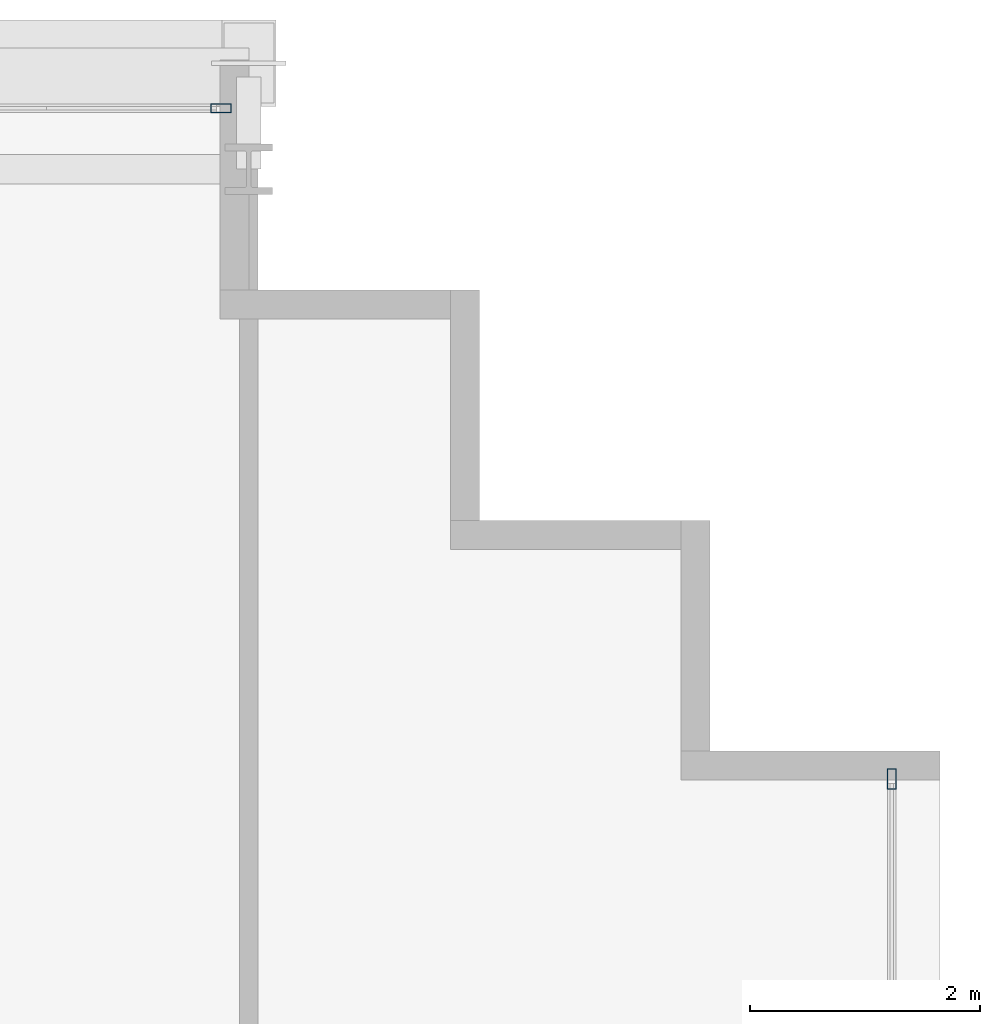
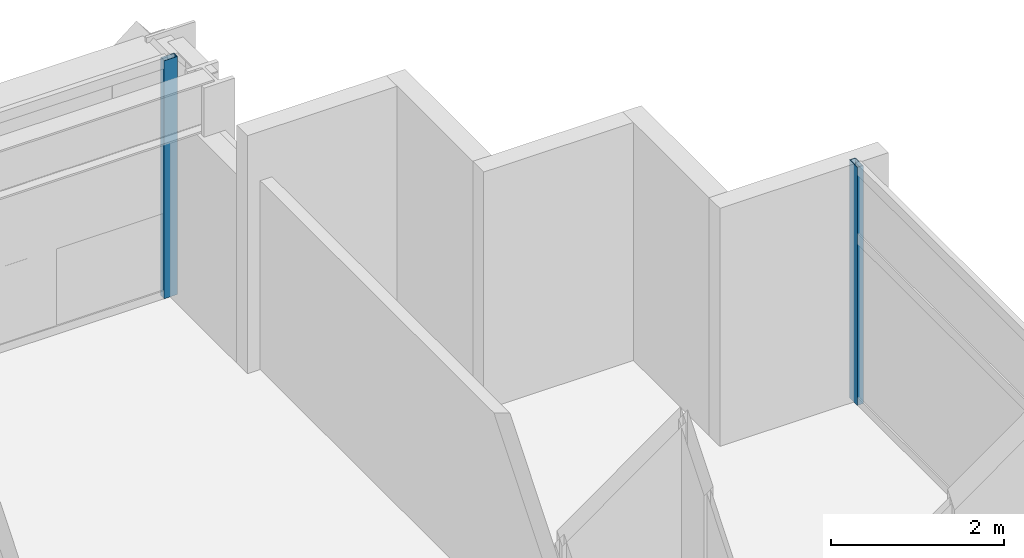
# One storey, part 22 of 35: 2 members, 2 elements without a shape of their own.
"""IFC4 building model written with IfcOpenShell, lengths in metres."""

import ifcopenshell
import ifcopenshell.guid

model = None  # the IFC model being written
_history = None  # IfcOwnerHistory: only IFC2X3 demands one
_inside = {}  # id of a spatial element -> (the spatial element, [elements in it])
_under = {}  # id of a project, library or spatial element -> (it, [spatial elements below it])
_declared = {}  # id of a project -> (the project, [libraries it declares])
_typed = {}  # id of a type object -> (the type object, [elements of that type])
_made_of = {}  # id of a material, layer set ... -> (it, [elements and type objects made of it])


def new_model(schema):
    """Start an empty IFC model of exactly this schema.

    Asked for "IFC4X3", IfcOpenShell would pick the latest addendum, in which some entities
    have other attributes; the version numbers below select the first issue.
    IFC2X3 requires an IfcOwnerHistory on every rooted entity: one is made here for all.
    """
    global model, _history
    if schema == "IFC4X3":
        model = ifcopenshell.file(schema_version=(4, 3, 0, 0))
    else:
        model = ifcopenshell.file(schema=schema)
    _inside.clear()
    _under.clear()
    _declared.clear()
    _typed.clear()
    _made_of.clear()
    _history = None
    if model.schema == "IFC2X3":
        org = make("IfcOrganization", Name="unknown")
        user = make(
            "IfcPersonAndOrganization",
            ThePerson=make("IfcPerson", FamilyName="unknown"),
            TheOrganization=org,
        )
        app = make(
            "IfcApplication",
            ApplicationDeveloper=org,
            Version="unknown",
            ApplicationFullName="unknown",
            ApplicationIdentifier="unknown",
        )
        _history = make(
            "IfcOwnerHistory",
            OwningUser=user,
            OwningApplication=app,
            ChangeAction="ADDED",
            CreationDate=0,
        )
    return model


def make(cls, **values):
    """One entity of the class cls with the attributes given. An attribute that is None is left unset."""
    return model.create_entity(
        cls, **{name: value for name, value in values.items() if value is not None}
    )


def rooted(cls, **values):
    """An entity with a GlobalId (a new one), such as an element, a storey or a relation."""
    return make(cls, GlobalId=ifcopenshell.guid.new(), OwnerHistory=_history, **values)


def si_unit(unit_type, name, prefix=None):
    """IfcSIUnit, for example si_unit("LENGTHUNIT", "METRE", prefix="MILLI")."""
    return make("IfcSIUnit", UnitType=unit_type, Prefix=prefix, Name=name)


def assignment(units):
    """IfcUnitAssignment: the units of a project."""
    return None if units is None else make("IfcUnitAssignment", Units=units)


def point(xyz):
    """IfcCartesianPoint."""
    return None if xyz is None else make("IfcCartesianPoint", Coordinates=xyz)


def direction(xyz):
    """IfcDirection."""
    return None if xyz is None else make("IfcDirection", DirectionRatios=xyz)


def frame(location, z_axis=None, x_axis=None):
    """IfcAxis2Placement3D, a coordinate frame: its origin and axes. An axis left out is left unset."""
    return make(
        "IfcAxis2Placement3D",
        Location=point(location),
        Axis=direction(z_axis),
        RefDirection=direction(x_axis),
    )


def frame_2d(location, x_axis=None):
    """IfcAxis2Placement2D, a coordinate frame in the plane: its origin and x axis."""
    return make(
        "IfcAxis2Placement2D", Location=point(location), RefDirection=direction(x_axis)
    )


def origin():
    """The frame at (0, 0, 0) with its axes left unset."""
    return frame((0.0, 0.0, 0.0))


def origin_2d():
    """The frame at (0, 0) in the plane with its x axis left unset."""
    return frame_2d((0.0, 0.0))


def place(relative_to, where):
    """IfcLocalPlacement: puts the frame where relative to a parent placement (None: the world)."""
    return make(
        "IfcLocalPlacement", PlacementRelTo=relative_to, RelativePlacement=where
    )


def context(
    kind, dimensions, precision=None, world=None, true_north=None, identifier=None
):
    """IfcGeometricRepresentationContext, for example the 3D "Model" context."""
    return make(
        "IfcGeometricRepresentationContext",
        ContextIdentifier=identifier,
        ContextType=kind,
        CoordinateSpaceDimension=dimensions,
        Precision=precision,
        WorldCoordinateSystem=world,
        TrueNorth=true_north,
    )


def subcontext(parent, identifier, kind, view, scale=None):
    """IfcGeometricRepresentationSubContext, for example "Body" below "Model"."""
    return make(
        "IfcGeometricRepresentationSubContext",
        ContextIdentifier=identifier,
        ContextType=kind,
        ParentContext=parent,
        TargetScale=scale,
        TargetView=view,
    )


def project(units=None, contexts=None):
    """IfcProject with its units and contexts."""
    return rooted(
        "IfcProject",
        Name="project",
        RepresentationContexts=contexts,
        UnitsInContext=assignment(units),
    )


def spatial(cls, under=None, at=None, **own):
    """A site, building, storey or space (cls), placed at a placement, below another one or the project."""
    s = rooted(cls, ObjectPlacement=at, **own)
    if under is not None:
        _under.setdefault(under.id(), (under, []))[1].append(s)
    return s


def profile(cls, at=None, kind="AREA", **sizes):
    """A parametric profile (cls). Its sizes go by their IFC names, for example OverallWidth=200.0."""
    return make(cls, ProfileType=kind, Position=at, **sizes)


def hollow_rectangle(**sizes):
    """IfcRectangleHollowProfileDef."""
    return profile("IfcRectangleHollowProfileDef", **sizes)


def extrude(swept, where, along, depth):
    """IfcExtrudedAreaSolid: the profile swept, set in the frame where, extruded along a direction by depth."""
    return make(
        "IfcExtrudedAreaSolid",
        SweptArea=swept,
        Position=where,
        ExtrudedDirection=direction(along),
        Depth=depth,
    )


def shape(context_of_items, identifier, shape_type, items):
    """IfcShapeRepresentation: the items that make up one representation, for example the "Body"."""
    return make(
        "IfcShapeRepresentation",
        ContextOfItems=context_of_items,
        RepresentationIdentifier=identifier,
        RepresentationType=shape_type,
        Items=items,
    )


def source(mapping_origin, context_of_items, identifier, shape_type, items):
    """IfcRepresentationMap: a shape defined once, which mapped items show again and again."""
    return make(
        "IfcRepresentationMap",
        MappingOrigin=mapping_origin,
        MappedRepresentation=shape(context_of_items, identifier, shape_type, items),
    )


def transform(
    local_origin,
    x_axis=None,
    y_axis=None,
    z_axis=None,
    scale=None,
    scale2=None,
    scale3=None,
    uniform=True,
):
    """IfcCartesianTransformationOperator3D, or its non-uniform kind. x_axis, y_axis, z_axis: its Axis1, 2, 3."""
    if uniform:
        return make(
            "IfcCartesianTransformationOperator3D",
            Axis1=direction(x_axis),
            Axis2=direction(y_axis),
            LocalOrigin=point(local_origin),
            Scale=scale,
            Axis3=direction(z_axis),
        )
    return make(
        "IfcCartesianTransformationOperator3DnonUniform",
        Axis1=direction(x_axis),
        Axis2=direction(y_axis),
        LocalOrigin=point(local_origin),
        Scale=scale,
        Axis3=direction(z_axis),
        Scale2=scale2,
        Scale3=scale3,
    )


def mapped(mapping_source, mapping_target):
    """IfcMappedItem: shows the shape of a source again, moved by a transform."""
    return make(
        "IfcMappedItem", MappingSource=mapping_source, MappingTarget=mapping_target
    )


def material(Name=None, Category=None):
    """IfcMaterial."""
    return make("IfcMaterial", Name=Name, Category=Category)


def layer(
    of_material, thickness, ventilated=None, Name=None, Category=None, Priority=None
):
    """IfcMaterialLayer: one layer of a wall or slab, of a material (None: an air gap)."""
    return make(
        "IfcMaterialLayer",
        Material=of_material,
        LayerThickness=thickness,
        IsVentilated=ventilated,
        Name=Name,
        Category=Category,
        Priority=Priority,
    )


def layer_set(layers, Name=None):
    """IfcMaterialLayerSet."""
    return make("IfcMaterialLayerSet", MaterialLayers=layers, LayerSetName=Name)


def material_profile(
    of_material, cross_section, Name=None, Category=None, Priority=None
):
    """IfcMaterialProfile: a cross section and its material."""
    return make(
        "IfcMaterialProfile",
        Name=Name,
        Material=of_material,
        Profile=cross_section,
        Priority=Priority,
        Category=Category,
    )


def profile_set(profiles, Name=None, composite=None):
    """IfcMaterialProfileSet."""
    return make(
        "IfcMaterialProfileSet",
        Name=Name,
        MaterialProfiles=profiles,
        CompositeProfile=composite,
    )


def made_of(thing, what):
    """Note that an element or type object is made of a material, layer set ...; save() writes the relation."""
    if what is not None:
        _made_of.setdefault(what.id(), (what, []))[1].append(thing)
    return thing


def type_object(cls, material=None, **own):
    """A type object (cls), such as IfcWallType, which elements share."""
    return made_of(rooted(cls, **own), material)


def element(
    cls,
    number,
    at=None,
    inside=None,
    cuts=None,
    type_object=None,
    material=None,
    context=None,
    identifier="Body",
    shape_type=None,
    held_by="IfcProductDefinitionShape",
    body=None,
    shapes=None,
    **own,
):
    """One element of the class cls, such as IfcWall. Its Tag is "e" and its number.

    at: its placement. inside: the storey or other place that contains it. cuts: it is an
    opening in that element (IfcRelVoidsElement). A single representation is given by context,
    identifier, shape_type and body (its items); several are given by shapes. held_by: the class
    of the entity that holds the representations. save() writes the other relations.
    """
    e = rooted(cls, Tag="e%d" % number, ObjectPlacement=at, **own)
    if body is not None:
        shapes = [shape(context, identifier, shape_type, body)]
    if shapes is not None:
        e.Representation = make(held_by, Representations=shapes)
    if inside is not None:
        _inside.setdefault(inside.id(), (inside, []))[1].append(e)
    if cuts is not None:
        rooted(
            "IfcRelVoidsElement", RelatingBuildingElement=cuts, RelatedOpeningElement=e
        )
    if type_object is not None:
        _typed.setdefault(type_object.id(), (type_object, []))[1].append(e)
    return made_of(e, material)


def aggregate(whole, parts):
    """IfcRelAggregates: a whole, such as a stair, and the parts it consists of."""
    return rooted("IfcRelAggregates", RelatingObject=whole, RelatedObjects=parts)


def save(model, path):
    """Write the relations noted so far, then the file.

    IfcRelAggregates (storeys below a building ...), IfcRelContainedInSpatialStructure (elements
    in a storey), IfcRelDefinesByType, IfcRelAssociatesMaterial and IfcRelDeclares: one each for
    every whole, place, type object, material and project.
    """
    for whole, parts in _under.values():
        aggregate(whole, parts)
    for where, things in _inside.values():
        rooted(
            "IfcRelContainedInSpatialStructure",
            RelatedElements=things,
            RelatingStructure=where,
        )
    for kind, things in _typed.values():
        rooted("IfcRelDefinesByType", RelatedObjects=things, RelatingType=kind)
    for what, things in _made_of.values():
        rooted("IfcRelAssociatesMaterial", RelatedObjects=things, RelatingMaterial=what)
    for by, libraries in _declared.values():
        rooted("IfcRelDeclares", RelatingContext=by, RelatedDefinitions=libraries)
    model.write(path)


model = new_model("IFC4")

# Units and contexts
model_context = context("Model", 3, precision=1e-05, world=origin(), true_north=direction((0.0, 1.0)))
body_context = subcontext(model_context, "Body", "Model", "MODEL_VIEW")
ifc_project = project(units=[si_unit("LENGTHUNIT", "METRE"), si_unit("AREAUNIT", "SQUARE_METRE"), si_unit("VOLUMEUNIT", "CUBIC_METRE"), si_unit("PLANEANGLEUNIT", "RADIAN"), si_unit("MASSUNIT", "GRAM", prefix="KILO")], contexts=[model_context])

# Site, building, storey
site_placement = place(None, origin())
site = spatial("IfcSite", under=ifc_project, at=site_placement, CompositionType="ELEMENT")
building_placement = place(site_placement, origin())
building = spatial("IfcBuilding", under=site, at=building_placement, Name="Ocotamira Hotel", CompositionType="ELEMENT")
storey_placement = place(building_placement, frame((0.0, 0.0, 122.39990234375)))
storey = spatial("IfcBuildingStorey", under=building, at=storey_placement, Name="L30", CompositionType="ELEMENT", Elevation=122.39990234375)

# Curtain wall, member
ifc_material_1 = material(Name="Anodised pale-metal aluminium and solar glass", Category="aluminium")
ifc_layer = layer(ifc_material_1, 0.179931640625)
ifc_layer_set = layer_set([ifc_layer], Name="Anodised pale-metal aluminium and solar glass")
curtain_wall_type = type_object("IfcCurtainWallType", Name="CW-SYS3-Z2", PredefinedType="NOTDEFINED", material=ifc_layer_set)
curtain_wall_1_placement = place(storey_placement, origin())
curtain_wall_1 = element("IfcCurtainWall", 1, at=curtain_wall_1_placement, inside=storey, type_object=curtain_wall_type, Name="L30 Curtain Wall CW-3 CW-L30-N", PredefinedType="NOTDEFINED")
ifc_material_2 = material(Name="Anodised pale-metal aluminium 6063-T6", Category="aluminium")
ifc_material_profile = material_profile(ifc_material_2, hollow_rectangle(XDim=0.080078125, YDim=0.179931640625, WallThickness=0.006103515625, at=origin_2d()), Name="HSS180X80X6")
ifc_profile_set = profile_set([ifc_material_profile], Name="Anodised pale-metal aluminium 6063-T6")
member_type = type_object("IfcMemberType", Name="CWM-180X75", PredefinedType="MULLION", material=ifc_profile_set)
shared_shape = source(origin(), body_context, "Body", "SweptSolid", [
    extrude(hollow_rectangle(XDim=0.080078125, YDim=0.179931640625, WallThickness=0.006103515625, at=origin_2d()), origin(), (0.0, 0.0, 1.0), 3.360107421875),
])
member_1_placement = place(storey_placement, frame((49.760009765625, 49.580078125, 0.0), z_axis=(0.0, 0.0, 1.0), x_axis=(0.0, 1.0, 0.0)))
member_1 = element("IfcMember", 2, at=member_1_placement, type_object=member_type, Name="CW-3 mullion 10", PredefinedType="MULLION", context=body_context, shape_type="MappedRepresentation", body=[
    mapped(shared_shape, transform((0.0, 0.0, 0.0), scale=1.0)),
])
aggregate(curtain_wall_1, [member_1])

curtain_wall_2_placement = place(storey_placement, origin())
curtain_wall_2 = element("IfcCurtainWall", 3, at=curtain_wall_2_placement, inside=storey, type_object=curtain_wall_type, Name="L30 Curtain Wall CW-3 CW-L30-E", PredefinedType="NOTDEFINED")
member_2_placement = place(storey_placement, frame((55.580078125, 43.760009765625, 0.0), z_axis=(0.0, 0.0, 1.0), x_axis=(-1.0, 0.0, 0.0)))
member_2 = element("IfcMember", 4, at=member_2_placement, type_object=member_type, Name="CW-3 mullion 8", PredefinedType="MULLION", context=body_context, shape_type="MappedRepresentation", body=[
    mapped(shared_shape, transform((0.0, 0.0, 0.0), scale=1.0)),
])
aggregate(curtain_wall_2, [member_2])

save(model, "model.ifc")
